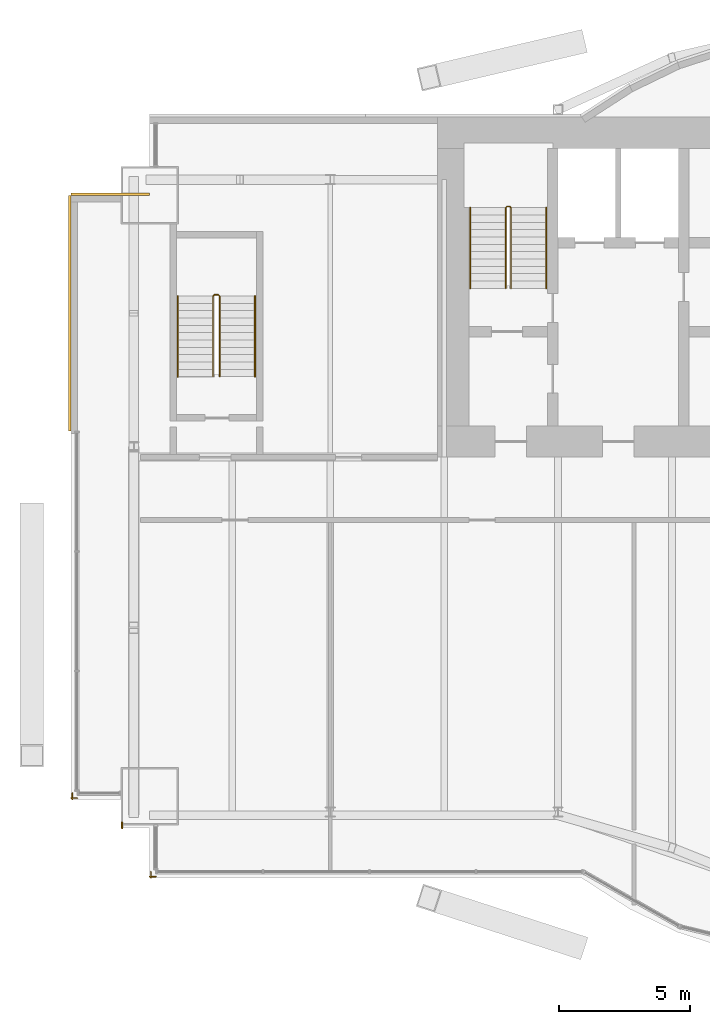
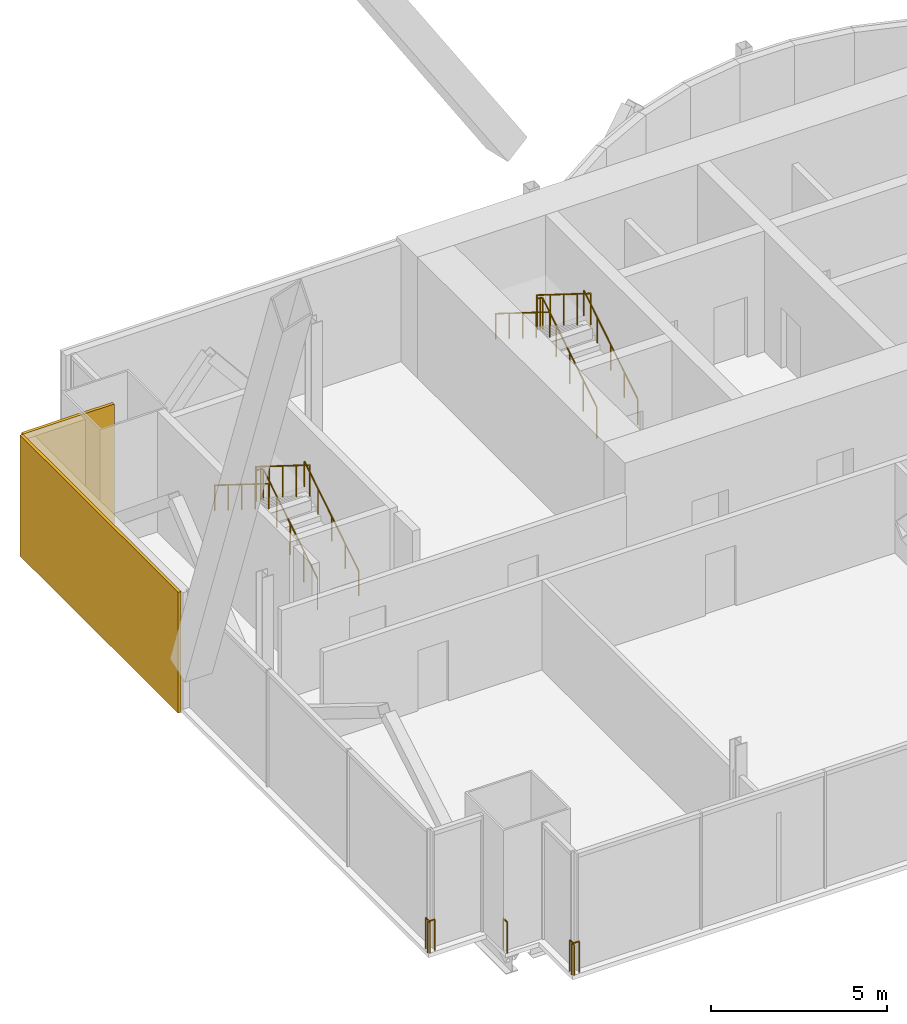
# One storey, part 21 of 23: 9 railings, 2 coverings.
"""IFC4 building model written with IfcOpenShell, lengths in metres."""

from ifc_helpers import new_model, si_unit, direction, frame, origin, origin_2d, place, context, subcontext, project, spatial, rectangle, circle, extrude, material, layer, layer_set, type_object, element, save


model = new_model("IFC4")

# Units and contexts
model_context = context("Model", 3, precision=1e-05, world=origin(), true_north=direction((0.0, 1.0)))
body_context = subcontext(model_context, "Body", "Model", "MODEL_VIEW")
ifc_project = project(units=[si_unit("LENGTHUNIT", "METRE"), si_unit("AREAUNIT", "SQUARE_METRE"), si_unit("VOLUMEUNIT", "CUBIC_METRE"), si_unit("PLANEANGLEUNIT", "RADIAN"), si_unit("MASSUNIT", "GRAM", prefix="KILO")], contexts=[model_context])

# Site, building, storey
site_placement = place(None, origin())
site = spatial("IfcSite", under=ifc_project, at=site_placement, CompositionType="ELEMENT")
building_placement = place(site_placement, origin())
building = spatial("IfcBuilding", under=site, at=building_placement, Name="Bicima Exchange Tower", CompositionType="ELEMENT")
storey_placement = place(building_placement, frame((0.0, 0.0, 262.39990234375)))
storey = spatial("IfcBuildingStorey", under=building, at=storey_placement, Name="L59", CompositionType="ELEMENT", Elevation=262.39990234375)

# Coverings
ifc_material_1 = material(Name="Bronze metal cladding")
ifc_layer_1 = layer(ifc_material_1, 0.004)
ifc_material_2 = material(Name="Ventilated cavity")
ifc_layer_2 = layer(ifc_material_2, 0.06)
ifc_material_3 = material(Name="Galvanised steel rail and mineral wool", Category="steel")
ifc_layer_3 = layer(ifc_material_3, 0.036)
ifc_layer_set = layer_set([ifc_layer_1, ifc_layer_2, ifc_layer_3], Name="Ventilated cavity")
covering_type = type_object("IfcCoveringType", Name="Bronze metal cladding panel 100", PredefinedType="CLADDING", material=ifc_layer_set)
covering_1_placement = place(storey_placement, frame((-34.5, -2.949951171875, -0.14990234375), z_axis=(0.0, 0.0, 1.0), x_axis=(-1.0, 0.0, 0.0)))
element("IfcCovering", 1, at=covering_1_placement, inside=storey, type_object=covering_type, Name="Bronze cladding L59 22.1", PredefinedType="CLADDING", context=body_context, shape_type="SweptSolid", body=[
    extrude(rectangle(XDim=3.0, YDim=0.10009765625, at=origin_2d()), origin(), (0.0, 0.0, 1.0), 4.199951171875),
])
covering_2_placement = place(storey_placement, frame((-36.050048828125, -7.5, -0.14990234375), z_axis=(0.0, 0.0, 1.0), x_axis=(0.0, -1.0, 0.0)))
element("IfcCovering", 2, at=covering_2_placement, inside=storey, type_object=covering_type, Name="Bronze cladding L59 23.1", PredefinedType="CLADDING", context=body_context, shape_type="SweptSolid", body=[
    extrude(rectangle(XDim=9.0, YDim=0.10009765625, at=origin_2d()), origin(), (0.0, 0.0, 1.0), 4.199951171875),
])

# Railings
ifc_material_4 = material(Name="Stainless steel and bonded safety glass", Category="steel")
railing_type_1 = type_object("IfcRailingType", Name="Edge guard 1100", PredefinedType="GUARDRAIL", material=ifc_material_4)
railing_1_placement = place(storey_placement, frame((-35.762939453125, -26.01806640625, 0.0)))
element("IfcRailing", 3, at=railing_1_placement, inside=storey, type_object=railing_type_1, Name="Edge guard L59 301", PredefinedType="GUARDRAIL", context=body_context, shape_type="SweptSolid", body=[
    extrude(circle(Radius=0.02392578125, at=origin_2d()), frame((0.0, 0.0, 1.076171875), z_axis=(-1.0, 0.0, 0.0), x_axis=(0.0, -1.0, 0.0)), (0.0, 0.0, 1.0), 0.237060546875),
    extrude(circle(Radius=0.02392578125, at=origin_2d()), frame((-0.237060546875, 0.0, 1.076171875), z_axis=(0.707106781187, -0.707106781187, 0.0), x_axis=(0.707106781187, 0.707106781187, 0.0)), (0.0, 0.0, 1.0), 0.07080078125),
    extrude(circle(Radius=0.02392578125, at=origin_2d()), frame((-0.18701171875, -0.050048828125, 1.076171875), z_axis=(0.0, 1.0, 0.0), x_axis=(-1.0, 0.0, 0.0)), (0.0, 0.0, 1.0), 0.248046875),
    extrude(circle(Radius=0.02099609375, at=origin_2d()), origin(), (0.0, 0.0, 1.0), 1.052001953125),
    extrude(circle(Radius=0.02099609375, at=origin_2d()), frame((-0.237060546875, 0.0, 0.0)), (0.0, 0.0, 1.0), 1.052001953125),
    extrude(circle(Radius=0.02099609375, at=origin_2d()), frame((-0.18701171875, -0.050048828125, 0.0)), (0.0, 0.0, 1.0), 1.052001953125),
    extrude(circle(Radius=0.02099609375, at=origin_2d()), frame((-0.18701171875, 0.197998046875, 0.0)), (0.0, 0.0, 1.0), 1.052001953125),
])
railing_2_placement = place(storey_placement, frame((-32.75, -29.01806640625, 0.0)))
element("IfcRailing", 4, at=railing_2_placement, inside=storey, type_object=railing_type_1, Name="Edge guard L59 305", PredefinedType="GUARDRAIL", context=body_context, shape_type="SweptSolid", body=[
    extrude(circle(Radius=0.02392578125, at=origin_2d()), frame((0.0, 0.0, 1.076171875), z_axis=(-1.0, 0.0, 0.0), x_axis=(0.0, -1.0, 0.0)), (0.0, 0.0, 1.0), 0.25),
    extrude(circle(Radius=0.02392578125, at=origin_2d()), frame((-0.25, 0.0, 1.076171875), z_axis=(0.707106781187, -0.707106781187, 0.0), x_axis=(0.707106781187, 0.707106781187, 0.0)), (0.0, 0.0, 1.0), 0.07080078125),
    extrude(circle(Radius=0.02392578125, at=origin_2d()), frame((-0.199951171875, -0.050048828125, 1.076171875), z_axis=(0.0, 1.0, 0.0), x_axis=(-1.0, 0.0, 0.0)), (0.0, 0.0, 1.0), 0.237060546875),
    extrude(circle(Radius=0.02099609375, at=origin_2d()), origin(), (0.0, 0.0, 1.0), 1.052001953125),
    extrude(circle(Radius=0.02099609375, at=origin_2d()), frame((-0.25, 0.0, 0.0)), (0.0, 0.0, 1.0), 1.052001953125),
    extrude(circle(Radius=0.02099609375, at=origin_2d()), frame((-0.199951171875, -0.050048828125, 0.0)), (0.0, 0.0, 1.0), 1.052001953125),
    extrude(circle(Radius=0.02099609375, at=origin_2d()), frame((-0.199951171875, 0.18701171875, 0.0)), (0.0, 0.0, 1.0), 1.052001953125),
])
railing_3_placement = place(storey_placement, frame((-34.050048828125, -27.16796875, 0.0)))
element("IfcRailing", 5, at=railing_3_placement, inside=storey, type_object=railing_type_1, Name="Edge guard L59 306", PredefinedType="GUARDRAIL", context=body_context, shape_type="SweptSolid", body=[
    extrude(circle(Radius=0.02392578125, at=origin_2d()), frame((0.0, 0.0, 1.076171875), z_axis=(0.0, 1.0, 0.0), x_axis=(-1.0, 0.0, 0.0)), (0.0, 0.0, 1.0), 0.219970703125),
    extrude(circle(Radius=0.02099609375, at=origin_2d()), origin(), (0.0, 0.0, 1.0), 1.052001953125),
    extrude(circle(Radius=0.02099609375, at=origin_2d()), frame((0.0, 0.219970703125, 0.0)), (0.0, 0.0, 1.0), 1.052001953125),
])
ifc_material_5 = material(Name="Stainless steel", Category="steel")
railing_type_2 = type_object("IfcRailingType", Name="Stair guard 1100", PredefinedType="GUARDRAIL", material=ifc_material_5)
railing_4_placement = place(storey_placement, frame((-19.199951171875, -6.550048828125, 0.175048828125)))
element("IfcRailing", 6, at=railing_4_placement, inside=storey, type_object=railing_type_2, Name="L59 ST-W stair guard 1", PredefinedType="GUARDRAIL", context=body_context, shape_type="SweptSolid", body=[
    extrude(circle(Radius=0.02392578125, at=origin_2d()), frame((0.0, 0.0, 1.076171875), z_axis=(0.0, 0.847998304005, 0.529998940003), x_axis=(-1.0, 0.0, 0.0)), (0.0, 0.0, 1.0), 3.632080078125),
    extrude(circle(Radius=0.02392578125, at=origin_2d()), frame((0.0, 3.080078125, 3.0009765625), z_axis=(-0.707106781187, 0.707106781187, 0.0), x_axis=(-0.707106781187, -0.707106781187, 0.0)), (0.0, 0.0, 1.0), 0.07080078125),
    extrude(circle(Radius=0.02392578125, at=origin_2d()), frame((-0.050048828125, 3.130126953125, 3.0009765625), z_axis=(-1.0, 0.0, 0.0), x_axis=(0.0, -1.0, 0.0)), (0.0, 0.0, 1.0), 0.10009765625),
    extrude(circle(Radius=0.02392578125, at=origin_2d()), frame((-0.150146484375, 3.130126953125, 3.0009765625), z_axis=(-0.263862480399, -0.265155923931, 0.927399011991), x_axis=(0.708833529934, -0.705375805398, 0.0)), (0.0, 0.0, 1.0), 0.188720703125),
    extrude(circle(Radius=0.02392578125, at=origin_2d()), frame((-0.199951171875, 3.080078125, 3.17626953125), z_axis=(0.0, -0.847998304005, 0.529998940003), x_axis=(1.0, 0.0, 0.0)), (0.0, 0.0, 1.0), 3.632080078125),
    extrude(circle(Radius=0.02099609375, at=origin_2d()), origin(), (0.0, 0.0, 1.0), 1.052001953125),
    extrude(circle(Radius=0.02099609375, at=origin_2d()), frame((0.0, 0.77001953125, 0.481201171875)), (0.0, 0.0, 1.0), 1.052001953125),
    extrude(circle(Radius=0.02099609375, at=origin_2d()), frame((0.0, 1.5400390625, 0.96240234375)), (0.0, 0.0, 1.0), 1.052001953125),
    extrude(circle(Radius=0.02099609375, at=origin_2d()), frame((0.0, 2.31005859375, 1.44384765625)), (0.0, 0.0, 1.0), 1.052001953125),
    extrude(circle(Radius=0.02099609375, at=origin_2d()), frame((0.0, 3.080078125, 1.925048828125)), (0.0, 0.0, 1.0), 1.052001953125),
    extrude(circle(Radius=0.02099609375, at=origin_2d()), frame((-0.050048828125, 3.130126953125, 1.925048828125)), (0.0, 0.0, 1.0), 1.052001953125),
    extrude(circle(Radius=0.02099609375, at=origin_2d()), frame((-0.150146484375, 3.130126953125, 1.925048828125)), (0.0, 0.0, 1.0), 1.052001953125),
    extrude(circle(Radius=0.02099609375, at=origin_2d()), frame((-0.199951171875, 3.080078125, 2.10009765625)), (0.0, 0.0, 1.0), 1.052001953125),
    extrude(circle(Radius=0.02099609375, at=origin_2d()), frame((-0.199951171875, 2.31005859375, 2.581298828125)), (0.0, 0.0, 1.0), 1.052001953125),
    extrude(circle(Radius=0.02099609375, at=origin_2d()), frame((-0.199951171875, 1.5400390625, 3.0625)), (0.0, 0.0, 1.0), 1.052001953125),
    extrude(circle(Radius=0.02099609375, at=origin_2d()), frame((-0.199951171875, 0.77001953125, 3.5439453125)), (0.0, 0.0, 1.0), 1.052001953125),
    extrude(circle(Radius=0.02099609375, at=origin_2d()), frame((-0.199951171875, 0.0, 4.025146484375)), (0.0, 0.0, 1.0), 1.052001953125),
])
railing_5_placement = place(storey_placement, frame((-30.324951171875, -9.925048828125, 0.175048828125)))
element("IfcRailing", 7, at=railing_5_placement, inside=storey, type_object=railing_type_2, Name="L59 ST-WW stair guard 1", PredefinedType="GUARDRAIL", context=body_context, shape_type="SweptSolid", body=[
    extrude(circle(Radius=0.02392578125, at=origin_2d()), frame((0.0, 0.0, 1.076171875), z_axis=(0.0, 0.847998304005, 0.529998940003), x_axis=(-1.0, 0.0, 0.0)), (0.0, 0.0, 1.0), 3.632080078125),
    extrude(circle(Radius=0.02392578125, at=origin_2d()), frame((0.0, 3.080078125, 3.0009765625), z_axis=(-0.707106781187, 0.707106781187, 0.0), x_axis=(-0.707106781187, -0.707106781187, 0.0)), (0.0, 0.0, 1.0), 0.07080078125),
    extrude(circle(Radius=0.02392578125, at=origin_2d()), frame((-0.050048828125, 3.130126953125, 3.0009765625), z_axis=(-1.0, 0.0, 0.0), x_axis=(0.0, -1.0, 0.0)), (0.0, 0.0, 1.0), 0.14990234375),
    extrude(circle(Radius=0.02392578125, at=origin_2d()), frame((-0.199951171875, 3.130126953125, 3.0009765625), z_axis=(-0.265065253269, -0.265065253269, 0.927081885822), x_axis=(0.707106781187, -0.707106781187, 0.0)), (0.0, 0.0, 1.0), 0.188720703125),
    extrude(circle(Radius=0.02392578125, at=origin_2d()), frame((-0.25, 3.080078125, 3.17626953125), z_axis=(0.0, -0.847998304005, 0.529998940003), x_axis=(1.0, 0.0, 0.0)), (0.0, 0.0, 1.0), 3.632080078125),
    extrude(circle(Radius=0.02099609375, at=origin_2d()), origin(), (0.0, 0.0, 1.0), 1.052001953125),
    extrude(circle(Radius=0.02099609375, at=origin_2d()), frame((0.0, 0.77001953125, 0.481201171875)), (0.0, 0.0, 1.0), 1.052001953125),
    extrude(circle(Radius=0.02099609375, at=origin_2d()), frame((0.0, 1.5400390625, 0.96240234375)), (0.0, 0.0, 1.0), 1.052001953125),
    extrude(circle(Radius=0.02099609375, at=origin_2d()), frame((0.0, 2.31005859375, 1.44384765625)), (0.0, 0.0, 1.0), 1.052001953125),
    extrude(circle(Radius=0.02099609375, at=origin_2d()), frame((0.0, 3.080078125, 1.925048828125)), (0.0, 0.0, 1.0), 1.052001953125),
    extrude(circle(Radius=0.02099609375, at=origin_2d()), frame((-0.050048828125, 3.130126953125, 1.925048828125)), (0.0, 0.0, 1.0), 1.052001953125),
    extrude(circle(Radius=0.02099609375, at=origin_2d()), frame((-0.199951171875, 3.130126953125, 1.925048828125)), (0.0, 0.0, 1.0), 1.052001953125),
    extrude(circle(Radius=0.02099609375, at=origin_2d()), frame((-0.25, 3.080078125, 2.10009765625)), (0.0, 0.0, 1.0), 1.052001953125),
    extrude(circle(Radius=0.02099609375, at=origin_2d()), frame((-0.25, 2.31005859375, 2.581298828125)), (0.0, 0.0, 1.0), 1.052001953125),
    extrude(circle(Radius=0.02099609375, at=origin_2d()), frame((-0.25, 1.5400390625, 3.0625)), (0.0, 0.0, 1.0), 1.052001953125),
    extrude(circle(Radius=0.02099609375, at=origin_2d()), frame((-0.25, 0.77001953125, 3.5439453125)), (0.0, 0.0, 1.0), 1.052001953125),
    extrude(circle(Radius=0.02099609375, at=origin_2d()), frame((-0.25, 0.0, 4.025146484375)), (0.0, 0.0, 1.0), 1.052001953125),
])
railing_type_3 = type_object("IfcRailingType", Name="Stair handrail 900", PredefinedType="HANDRAIL", material=ifc_material_5)
railing_6_placement = place(storey_placement, frame((-17.85009765625, -6.550048828125, 0.175048828125)))
element("IfcRailing", 8, at=railing_6_placement, inside=storey, type_object=railing_type_3, Name="L59 ST-W stair handrail 1", PredefinedType="HANDRAIL", context=body_context, shape_type="SweptSolid", body=[
    extrude(circle(Radius=0.02392578125, at=origin_2d()), frame((0.0, 0.0, 0.8759765625), z_axis=(0.0, 0.847998304005, 0.529998940003), x_axis=(-1.0, 0.0, 0.0)), (0.0, 0.0, 1.0), 3.632080078125),
    extrude(circle(Radius=0.02099609375, at=origin_2d()), origin(), (0.0, 0.0, 1.0), 0.851806640625),
    extrude(circle(Radius=0.02099609375, at=origin_2d()), frame((0.0, 0.77001953125, 0.481201171875)), (0.0, 0.0, 1.0), 0.851806640625),
    extrude(circle(Radius=0.02099609375, at=origin_2d()), frame((0.0, 1.5400390625, 0.96240234375)), (0.0, 0.0, 1.0), 0.851806640625),
    extrude(circle(Radius=0.02099609375, at=origin_2d()), frame((0.0, 2.31005859375, 1.44384765625)), (0.0, 0.0, 1.0), 0.851806640625),
    extrude(circle(Radius=0.02099609375, at=origin_2d()), frame((0.0, 3.080078125, 1.925048828125)), (0.0, 0.0, 1.0), 0.851806640625),
])
railing_7_placement = place(storey_placement, frame((-20.75, -3.469970703125, 2.30419921875)))
element("IfcRailing", 9, at=railing_7_placement, inside=storey, type_object=railing_type_3, Name="L59 ST-W stair handrail 2", PredefinedType="HANDRAIL", context=body_context, shape_type="SweptSolid", body=[
    extrude(circle(Radius=0.02392578125, at=origin_2d()), frame((0.0, 0.0, 0.8759765625), z_axis=(0.0, -0.848028513186, 0.529950602248), x_axis=(1.0, 0.0, 0.0)), (0.0, 0.0, 1.0), 3.632080078125),
    extrude(circle(Radius=0.02099609375, at=origin_2d()), origin(), (0.0, 0.0, 1.0), 0.851806640625),
    extrude(circle(Radius=0.02099609375, at=origin_2d()), frame((0.0, -0.77001953125, 0.481201171875)), (0.0, 0.0, 1.0), 0.851806640625),
    extrude(circle(Radius=0.02099609375, at=origin_2d()), frame((0.0, -1.5400390625, 0.96240234375)), (0.0, 0.0, 1.0), 0.851806640625),
    extrude(circle(Radius=0.02099609375, at=origin_2d()), frame((0.0, -2.31005859375, 1.443603515625)), (0.0, 0.0, 1.0), 0.851806640625),
    extrude(circle(Radius=0.02099609375, at=origin_2d()), frame((0.0, -3.080078125, 1.9248046875)), (0.0, 0.0, 1.0), 0.851806640625),
])
railing_8_placement = place(storey_placement, frame((-28.97509765625, -9.925048828125, 0.175048828125)))
element("IfcRailing", 10, at=railing_8_placement, inside=storey, type_object=railing_type_3, Name="L59 ST-WW stair handrail 1", PredefinedType="HANDRAIL", context=body_context, shape_type="SweptSolid", body=[
    extrude(circle(Radius=0.02392578125, at=origin_2d()), frame((0.0, 0.0, 0.8759765625), z_axis=(0.0, 0.847998304005, 0.529998940003), x_axis=(-1.0, 0.0, 0.0)), (0.0, 0.0, 1.0), 3.632080078125),
    extrude(circle(Radius=0.02099609375, at=origin_2d()), origin(), (0.0, 0.0, 1.0), 0.851806640625),
    extrude(circle(Radius=0.02099609375, at=origin_2d()), frame((0.0, 0.77001953125, 0.481201171875)), (0.0, 0.0, 1.0), 0.851806640625),
    extrude(circle(Radius=0.02099609375, at=origin_2d()), frame((0.0, 1.5400390625, 0.96240234375)), (0.0, 0.0, 1.0), 0.851806640625),
    extrude(circle(Radius=0.02099609375, at=origin_2d()), frame((0.0, 2.31005859375, 1.44384765625)), (0.0, 0.0, 1.0), 0.851806640625),
    extrude(circle(Radius=0.02099609375, at=origin_2d()), frame((0.0, 3.080078125, 1.925048828125)), (0.0, 0.0, 1.0), 0.851806640625),
])
railing_9_placement = place(storey_placement, frame((-31.925048828125, -6.844970703125, 2.30419921875)))
element("IfcRailing", 11, at=railing_9_placement, inside=storey, type_object=railing_type_3, Name="L59 ST-WW stair handrail 2", PredefinedType="HANDRAIL", context=body_context, shape_type="SweptSolid", body=[
    extrude(circle(Radius=0.02392578125, at=origin_2d()), frame((0.0, 0.0, 0.8759765625), z_axis=(0.0, -0.848028513186, 0.529950602248), x_axis=(1.0, 0.0, 0.0)), (0.0, 0.0, 1.0), 3.632080078125),
    extrude(circle(Radius=0.02099609375, at=origin_2d()), origin(), (0.0, 0.0, 1.0), 0.851806640625),
    extrude(circle(Radius=0.02099609375, at=origin_2d()), frame((0.0, -0.77001953125, 0.481201171875)), (0.0, 0.0, 1.0), 0.851806640625),
    extrude(circle(Radius=0.02099609375, at=origin_2d()), frame((0.0, -1.5400390625, 0.96240234375)), (0.0, 0.0, 1.0), 0.851806640625),
    extrude(circle(Radius=0.02099609375, at=origin_2d()), frame((0.0, -2.31005859375, 1.443603515625)), (0.0, 0.0, 1.0), 0.851806640625),
    extrude(circle(Radius=0.02099609375, at=origin_2d()), frame((0.0, -3.080078125, 1.9248046875)), (0.0, 0.0, 1.0), 0.851806640625),
])

save(model, "model.ifc")
